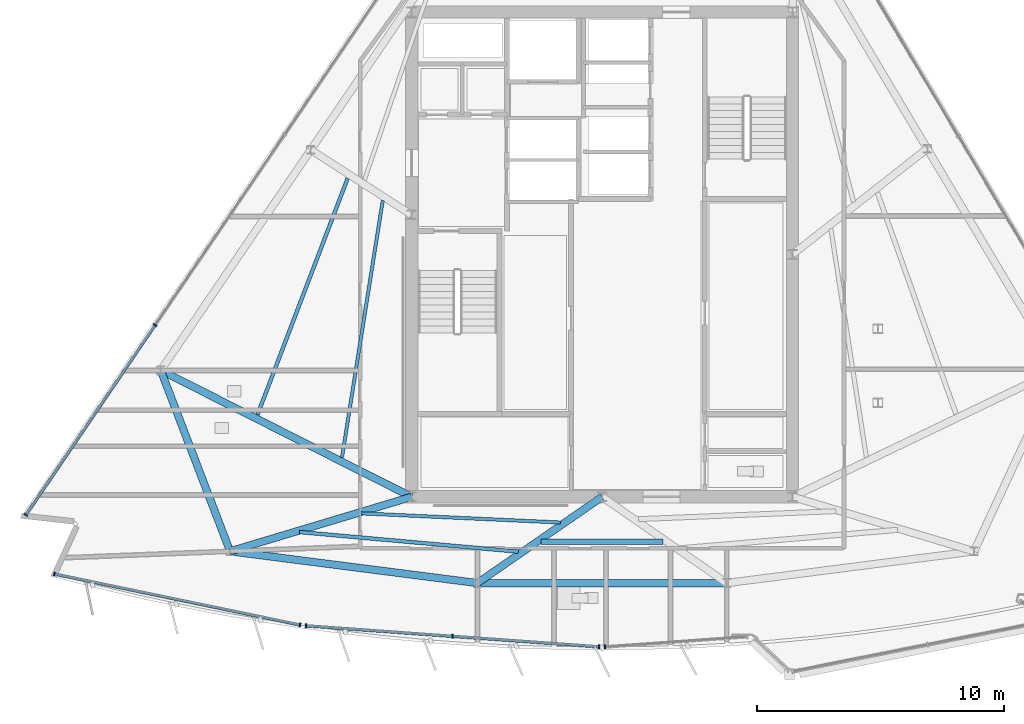
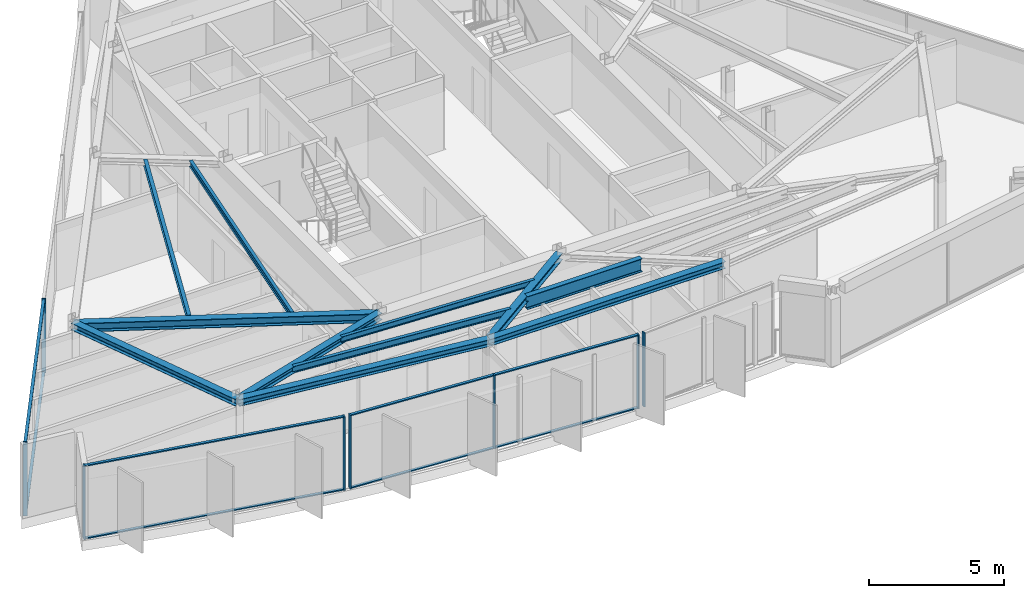
# One storey, part 3 of 14: 16 members, 11 beams, 4 elements without a shape of their own.
"""IFC4 building model written with IfcOpenShell, lengths in metres."""

from ifc_helpers import new_model, si_unit, direction, frame, origin, origin_2d, place, context, subcontext, project, spatial, rectangle, i_section, extrude, material, material_profile, profile_set, type_object, element, aggregate, save


model = new_model("IFC4")

# Units and contexts
model_context = context("Model", 3, precision=1e-05, world=origin(), true_north=direction((0.0, 1.0)))
body_context = subcontext(model_context, "Body", "Model", "MODEL_VIEW")
ifc_project = project(units=[si_unit("LENGTHUNIT", "METRE"), si_unit("AREAUNIT", "SQUARE_METRE"), si_unit("VOLUMEUNIT", "CUBIC_METRE"), si_unit("PLANEANGLEUNIT", "RADIAN"), si_unit("MASSUNIT", "GRAM", prefix="KILO")], contexts=[model_context])

# Site, building, storey
site_placement = place(None, origin())
site = spatial("IfcSite", under=ifc_project, at=site_placement, CompositionType="ELEMENT")
building_placement = place(site_placement, origin())
building = spatial("IfcBuilding", under=site, at=building_placement, Name="Savorim Split Tower", CompositionType="ELEMENT")
storey_placement = place(building_placement, frame((0.0, 0.0, 294.0)))
storey = spatial("IfcBuildingStorey", under=building, at=storey_placement, Name="L78", CompositionType="ELEMENT", Elevation=294.0)

# Beams
ifc_material_1 = material(Name="Steel S355", Category="steel")
ifc_material_profile_1 = material_profile(ifc_material_1, i_section(OverallWidth=0.135009765625, OverallDepth=0.27001953125, WebThickness=0.006591796875, FlangeThickness=0.01025390625, FilletRadius=0.014892578125, at=origin_2d()), Name="IPE 270")
ifc_profile_set_1 = profile_set([ifc_material_profile_1], Name="Steel S355")
beam_type_1 = type_object("IfcBeamType", Name="BM-JST-IPE270", PredefinedType="JOIST", material=ifc_profile_set_1)
beam_1_placement = place(storey_placement, frame((-9.741455078125, -10.067626953125, 3.205078125), z_axis=(0.998947119239, -0.045876496854, 0.0), x_axis=(0.045876496854, 0.998947119239, 0.0)))
element("IfcBeam", 1, at=beam_1_placement, inside=storey, type_object=beam_type_1, Name="L78 Secondary Floor Joist JS-02", PredefinedType="JOIST", context=body_context, shape_type="SweptSolid", body=[
    extrude(i_section(OverallWidth=0.135009765625, OverallDepth=0.27001953125, WebThickness=0.006591796875, FlangeThickness=0.01025390625, FilletRadius=0.014892578125, at=origin_2d()), origin(), (0.0, 0.0, 1.0), 8.078369140625),
])
beam_2_placement = place(storey_placement, frame((-8.8662109375, 2.577392578125, 3.205078125), z_axis=(-0.156677698063, -0.987649785567, 0.0), x_axis=(0.987649785567, -0.156677698063, 0.0)))
element("IfcBeam", 2, at=beam_2_placement, inside=storey, type_object=beam_type_1, Name="L78 Secondary Floor Joist JS-11", PredefinedType="JOIST", context=body_context, shape_type="SweptSolid", body=[
    extrude(i_section(OverallWidth=0.135009765625, OverallDepth=0.27001953125, WebThickness=0.006591796875, FlangeThickness=0.01025390625, FilletRadius=0.014892578125, at=origin_2d()), origin(), (0.0, 0.0, 1.0), 10.51806640625),
])
ifc_material_profile_2 = material_profile(ifc_material_1, i_section(OverallWidth=0.14990234375, OverallDepth=0.300048828125, WebThickness=0.007080078125, FlangeThickness=0.0107421875, FilletRadius=0.014892578125, at=origin_2d()), Name="IPE 300")
ifc_profile_set_2 = profile_set([ifc_material_profile_2], Name="Steel S355")
beam_type_2 = type_object("IfcBeamType", Name="BM-JST-IPE300", PredefinedType="JOIST", material=ifc_profile_set_2)
beam_3_placement = place(storey_placement, frame((-12.236328125, -10.8232421875, 3.18994140625), z_axis=(0.996011241322, -0.089227838477, 0.0), x_axis=(0.089227838477, 0.996011241322, 0.0)))
element("IfcBeam", 3, at=beam_3_placement, inside=storey, type_object=beam_type_2, Name="L78 Secondary Floor Joist JS-01", PredefinedType="JOIST", context=body_context, shape_type="SweptSolid", body=[
    extrude(i_section(OverallWidth=0.14990234375, OverallDepth=0.300048828125, WebThickness=0.007080078125, FlangeThickness=0.0107421875, FilletRadius=0.014892578125, at=origin_2d()), origin(), (0.0, 0.0, 1.0), 8.886962890625),
])
beam_4_placement = place(storey_placement, frame((-10.28369140625, 3.47900390625, 3.18994140625), z_axis=(-0.35634753105, -0.934353486168, 0.0), x_axis=(0.934353486168, -0.35634753105, 0.0)))
element("IfcBeam", 4, at=beam_4_placement, inside=storey, type_object=beam_type_2, Name="L78 Secondary Floor Joist JS-10", PredefinedType="JOIST", context=body_context, shape_type="SweptSolid", body=[
    extrude(i_section(OverallWidth=0.14990234375, OverallDepth=0.300048828125, WebThickness=0.007080078125, FlangeThickness=0.0107421875, FilletRadius=0.014892578125, at=origin_2d()), origin(), (0.0, 0.0, 1.0), 10.232177734375),
])
ifc_material_profile_3 = material_profile(ifc_material_1, i_section(OverallWidth=0.219970703125, OverallDepth=0.60009765625, WebThickness=0.011962890625, FlangeThickness=0.01904296875, FilletRadius=0.02392578125, at=origin_2d()), Name="IPE 600")
ifc_profile_set_3 = profile_set([ifc_material_profile_3], Name="Steel S355")
beam_type_3 = type_object("IfcBeamType", Name="BM-JST-IPE600", PredefinedType="JOIST", material=ifc_profile_set_3)
beam_5_placement = place(storey_placement, frame((-2.460693359375, -11.21240234375, 3.0400390625), z_axis=(1.0, 0.0, 0.0), x_axis=(0.0, 1.0, 0.0)))
element("IfcBeam", 5, at=beam_5_placement, inside=storey, type_object=beam_type_3, Name="L78 Secondary Floor Joist JS-03", PredefinedType="JOIST", context=body_context, shape_type="SweptSolid", body=[
    extrude(i_section(OverallWidth=0.219970703125, OverallDepth=0.60009765625, WebThickness=0.011962890625, FlangeThickness=0.01904296875, FilletRadius=0.02392578125, at=origin_2d()), origin(), (0.0, 0.0, 1.0), 4.92138671875),
])
ifc_material_profile_4 = material_profile(ifc_material_1, i_section(OverallWidth=0.300048828125, OverallDepth=0.300048828125, WebThickness=0.010986328125, FlangeThickness=0.01904296875, FilletRadius=0.027099609375, at=origin_2d()), Name="HEB 300")
ifc_profile_set_4 = profile_set([ifc_material_profile_4], Name="Steel S355")
beam_type_4 = type_object("IfcBeamType", Name="BM-PRI-HEB300", PredefinedType="BEAM", material=ifc_profile_set_4)
beam_6_placement = place(storey_placement, frame((-15.037109375, -11.6015625, 3.18994140625), z_axis=(0.957807862617, 0.287409287096, 0.0), x_axis=(-0.287409287096, 0.957807862617, 0.0)))
element("IfcBeam", 6, at=beam_6_placement, inside=storey, type_object=beam_type_4, Name="L78 Primary Floor Girder RG-01", PredefinedType="BEAM", context=body_context, shape_type="SweptSolid", body=[
    extrude(i_section(OverallWidth=0.300048828125, OverallDepth=0.300048828125, WebThickness=0.010986328125, FlangeThickness=0.01904296875, FilletRadius=0.027099609375, at=origin_2d()), origin(), (0.0, 0.0, 1.0), 7.660400390625),
])
beam_7_placement = place(storey_placement, frame((-5.039794921875, -12.885009765625, 3.18994140625), z_axis=(0.82249616242, 0.568770659233, 0.0), x_axis=(-0.568770659233, 0.82249616242, 0.0)))
element("IfcBeam", 7, at=beam_7_placement, inside=storey, type_object=beam_type_4, Name="L78 Primary Floor Girder RG-02", PredefinedType="BEAM", context=body_context, shape_type="SweptSolid", body=[
    extrude(i_section(OverallWidth=0.300048828125, OverallDepth=0.300048828125, WebThickness=0.010986328125, FlangeThickness=0.01904296875, FilletRadius=0.027099609375, at=origin_2d()), origin(), (0.0, 0.0, 1.0), 6.12744140625),
])
ifc_material_profile_5 = material_profile(ifc_material_1, i_section(OverallWidth=0.300048828125, OverallDepth=0.39990234375, WebThickness=0.013427734375, FlangeThickness=0.02392578125, FilletRadius=0.027099609375, at=origin_2d()), Name="HEB 400")
ifc_profile_set_5 = profile_set([ifc_material_profile_5], Name="Steel S355")
beam_type_5 = type_object("IfcBeamType", Name="BM-PRI-HEB400", PredefinedType="BEAM", material=ifc_profile_set_5)
beam_8_placement = place(storey_placement, frame((-17.84033203125, -4.288818359375, 3.139892578125), z_axis=(0.892982084202, -0.450092209769, 0.0), x_axis=(0.450092209769, 0.892982084202, 0.0)))
element("IfcBeam", 8, at=beam_8_placement, inside=storey, type_object=beam_type_5, Name="L78 Primary Floor Girder RG-10", PredefinedType="BEAM", context=body_context, shape_type="SweptSolid", body=[
    extrude(i_section(OverallWidth=0.300048828125, OverallDepth=0.39990234375, WebThickness=0.013427734375, FlangeThickness=0.02392578125, FilletRadius=0.027099609375, at=origin_2d()), origin(), (0.0, 0.0, 1.0), 11.355712890625),
])
ifc_material_profile_6 = material_profile(ifc_material_1, i_section(OverallWidth=0.300048828125, OverallDepth=0.31005859375, WebThickness=0.009033203125, FlangeThickness=0.015380859375, FilletRadius=0.027099609375, at=origin_2d()), Name="HEA 320")
ifc_profile_set_6 = profile_set([ifc_material_profile_6], Name="Steel S355")
beam_type_6 = type_object("IfcBeamType", Name="BM-SPN-HEA320", PredefinedType="SPANDREL", material=ifc_profile_set_6)
beam_9_placement = place(storey_placement, frame((-15.037109375, -11.6015625, 3.18505859375), z_axis=(0.991859872424, -0.127334180306, 0.0), x_axis=(0.127334180306, 0.991859872424, 0.0)))
element("IfcBeam", 9, at=beam_9_placement, inside=storey, type_object=beam_type_6, Name="L78 Perimeter Spandrel Beam 1", PredefinedType="SPANDREL", context=body_context, shape_type="SweptSolid", body=[
    extrude(i_section(OverallWidth=0.300048828125, OverallDepth=0.31005859375, WebThickness=0.009033203125, FlangeThickness=0.015380859375, FilletRadius=0.027099609375, at=origin_2d()), origin(), (0.0, 0.0, 1.0), 10.079345703125),
])
beam_10_placement = place(storey_placement, frame((-5.039794921875, -12.885009765625, 3.18505859375), z_axis=(1.0, 0.0, 0.0), x_axis=(0.0, 1.0, 0.0)))
element("IfcBeam", 10, at=beam_10_placement, inside=storey, type_object=beam_type_6, Name="L78 Perimeter Spandrel Beam 2", PredefinedType="SPANDREL", context=body_context, shape_type="SweptSolid", body=[
    extrude(i_section(OverallWidth=0.300048828125, OverallDepth=0.31005859375, WebThickness=0.009033203125, FlangeThickness=0.015380859375, FilletRadius=0.027099609375, at=origin_2d()), origin(), (0.0, 0.0, 1.0), 10.07958984375),
])
beam_11_placement = place(storey_placement, frame((-17.84033203125, -4.288818359375, 3.18505859375), z_axis=(0.357936464629, -0.933745943653, 0.0), x_axis=(0.933745943653, 0.357936464629, 0.0)))
element("IfcBeam", 11, at=beam_11_placement, inside=storey, type_object=beam_type_6, Name="L78 Perimeter Spandrel Beam 10", PredefinedType="SPANDREL", context=body_context, shape_type="SweptSolid", body=[
    extrude(i_section(OverallWidth=0.300048828125, OverallDepth=0.31005859375, WebThickness=0.009033203125, FlangeThickness=0.015380859375, FilletRadius=0.027099609375, at=origin_2d()), origin(), (0.0, 0.0, 1.0), 7.83154296875),
])

# Curtain wall, members
ifc_material_2 = material(Name="Dark Ceramic-Fritted Insulated Glass", Category="glass")
curtain_wall_type = type_object("IfcCurtainWallType", Name="CW-TWR-FRIT-B", PredefinedType="NOTDEFINED", material=ifc_material_2)
curtain_wall_1_placement = place(storey_placement, origin())
curtain_wall_1 = element("IfcCurtainWall", 12, at=curtain_wall_1_placement, inside=storey, type_object=curtain_wall_type, Name="L78 Curtain Wall CW-L78-SF1A", PredefinedType="NOTDEFINED")
ifc_material_3 = material(Name="Charcoal Anodised Aluminium", Category="aluminium")
ifc_material_profile_7 = material_profile(ifc_material_3, rectangle(XDim=0.159912109375, YDim=0.06005859375, at=origin_2d()), Name="ALU-M 160x60")
ifc_profile_set_7 = profile_set([ifc_material_profile_7], Name="Charcoal Anodised Aluminium")
member_type_1 = type_object("IfcMemberType", Name="CWM-160x60", PredefinedType="MULLION", material=ifc_profile_set_7)
member_1_placement = place(storey_placement, frame((-22.142333984375, -12.514892578125, 0.0), z_axis=(0.0, 0.0, 1.0), x_axis=(0.203215038861, 0.979134131762, 0.0)))
member_1 = element("IfcMember", 13, at=member_1_placement, type_object=member_type_1, Name="CW-03 mullion 1", PredefinedType="MULLION", context=body_context, shape_type="SweptSolid", body=[
    extrude(rectangle(XDim=0.159912109375, YDim=0.06005859375, at=origin_2d()), origin(), (0.0, 0.0, 1.0), 3.340087890625),
])
member_2_placement = place(storey_placement, frame((-12.20849609375, -14.57666015625, 0.0), z_axis=(0.0, 0.0, 1.0), x_axis=(0.203215038861, 0.979134131762, 0.0)))
member_2 = element("IfcMember", 14, at=member_2_placement, type_object=member_type_1, Name="CW-03 mullion 2", PredefinedType="MULLION", context=body_context, shape_type="SweptSolid", body=[
    extrude(rectangle(XDim=0.159912109375, YDim=0.06005859375, at=origin_2d()), origin(), (0.0, 0.0, 1.0), 3.340087890625),
])

curtain_wall_2_placement = place(storey_placement, origin())
curtain_wall_2 = element("IfcCurtainWall", 15, at=curtain_wall_2_placement, inside=storey, type_object=curtain_wall_type, Name="L78 Curtain Wall CW-L78-SF2A", PredefinedType="NOTDEFINED")
member_3_placement = place(storey_placement, frame((-11.967529296875, -14.610107421875, 0.0), z_axis=(0.0, 0.0, 1.0), x_axis=(0.071560201608, 0.997436282449, 0.0)))
member_3 = element("IfcMember", 16, at=member_3_placement, type_object=member_type_1, Name="CW-03 mullion 1", PredefinedType="MULLION", context=body_context, shape_type="SweptSolid", body=[
    extrude(rectangle(XDim=0.159912109375, YDim=0.06005859375, at=origin_2d()), origin(), (0.0, 0.0, 1.0), 3.340087890625),
])
member_4_placement = place(storey_placement, frame((-6.044189453125, -15.03515625, 0.0), z_axis=(0.0, 0.0, 1.0), x_axis=(0.071560201608, 0.997436282449, 0.0)))
member_4 = element("IfcMember", 17, at=member_4_placement, type_object=member_type_1, Name="CW-03 mullion 2", PredefinedType="MULLION", context=body_context, shape_type="SweptSolid", body=[
    extrude(rectangle(XDim=0.159912109375, YDim=0.06005859375, at=origin_2d()), origin(), (0.0, 0.0, 1.0), 3.340087890625),
])
member_5_placement = place(storey_placement, frame((-0.12109375, -15.4599609375, 0.0), z_axis=(0.0, 0.0, 1.0), x_axis=(0.071560201608, 0.997436282449, 0.0)))
member_5 = element("IfcMember", 18, at=member_5_placement, type_object=member_type_1, Name="CW-03 mullion 3", PredefinedType="MULLION", context=body_context, shape_type="SweptSolid", body=[
    extrude(rectangle(XDim=0.159912109375, YDim=0.06005859375, at=origin_2d()), origin(), (0.0, 0.0, 1.0), 3.340087890625),
])

# Curtain wall, member
curtain_wall_3_placement = place(storey_placement, origin())
curtain_wall_3 = element("IfcCurtainWall", 19, at=curtain_wall_3_placement, inside=storey, type_object=curtain_wall_type, Name="L78 Curtain Wall CW-L78-SF3A", PredefinedType="NOTDEFINED")
member_6_placement = place(storey_placement, frame((0.12109375, -15.4599609375, 0.0), z_axis=(0.0, 0.0, 1.0), x_axis=(-0.071561606808, 0.997436181633, 0.0)))
member_6 = element("IfcMember", 20, at=member_6_placement, type_object=member_type_1, Name="CW-03 mullion 1", PredefinedType="MULLION", context=body_context, shape_type="SweptSolid", body=[
    extrude(rectangle(XDim=0.159912109375, YDim=0.06005859375, at=origin_2d()), origin(), (0.0, 0.0, 1.0), 3.340087890625),
])
aggregate(curtain_wall_3, [member_6])

# Curtain wall, members
curtain_wall_4_placement = place(storey_placement, origin())
curtain_wall_4 = element("IfcCurtainWall", 21, at=curtain_wall_4_placement, inside=storey, type_object=curtain_wall_type, Name="L78 Curtain Wall CW-L78-WEST", PredefinedType="NOTDEFINED")
member_7_placement = place(storey_placement, frame((-18.0693359375, -2.455078125, 0.0), z_axis=(0.0, 0.0, 1.0), x_axis=(0.826817636776, -0.562470084107, 0.0)))
member_7 = element("IfcMember", 22, at=member_7_placement, type_object=member_type_1, Name="CW-03 mullion 3", PredefinedType="MULLION", context=body_context, shape_type="SweptSolid", body=[
    extrude(rectangle(XDim=0.159912109375, YDim=0.06005859375, at=origin_2d()), origin(), (0.0, 0.0, 1.0), 3.340087890625),
])
member_8_placement = place(storey_placement, frame((-23.29052734375, -10.130126953125, 0.0), z_axis=(0.0, 0.0, 1.0), x_axis=(0.826817636776, -0.562470084107, 0.0)))
member_8 = element("IfcMember", 23, at=member_8_placement, type_object=member_type_1, Name="CW-03 mullion 4", PredefinedType="MULLION", context=body_context, shape_type="SweptSolid", body=[
    extrude(rectangle(XDim=0.159912109375, YDim=0.06005859375, at=origin_2d()), origin(), (0.0, 0.0, 1.0), 3.340087890625),
])

# Member
ifc_material_profile_8 = material_profile(ifc_material_3, rectangle(XDim=0.1201171875, YDim=0.050048828125, at=origin_2d()), Name="ALU-T 120x50")
ifc_profile_set_8 = profile_set([ifc_material_profile_8], Name="Charcoal Anodised Aluminium")
member_type_2 = type_object("IfcMemberType", Name="CWT-120x50", PredefinedType="USERDEFINED", material=ifc_profile_set_8)
member_9_placement = place(storey_placement, frame((-22.113037109375, -12.52099609375, 0.02490234375), z_axis=(0.9791332013, -0.203219521977, 0.0), x_axis=(0.203219521977, 0.9791332013, 0.0)))
member_9 = element("IfcMember", 24, at=member_9_placement, type_object=member_type_2, Name="CW-03 transom 1.1", ObjectType="TRANSOM", PredefinedType="USERDEFINED", context=body_context, shape_type="SweptSolid", body=[
    extrude(rectangle(XDim=0.1201171875, YDim=0.050048828125, at=origin_2d()), origin(), (0.0, 0.0, 1.0), 10.08544921875),
])

member_10_placement = place(storey_placement, frame((-22.113037109375, -12.52099609375, 3.31494140625), z_axis=(0.9791332013, -0.203219521977, 0.0), x_axis=(0.203219521977, 0.9791332013, 0.0)))
member_10 = element("IfcMember", 25, at=member_10_placement, type_object=member_type_2, Name="CW-03 transom 1.2", ObjectType="TRANSOM", PredefinedType="USERDEFINED", context=body_context, shape_type="SweptSolid", body=[
    extrude(rectangle(XDim=0.1201171875, YDim=0.050048828125, at=origin_2d()), origin(), (0.0, 0.0, 1.0), 10.08544921875),
])

aggregate(curtain_wall_1, [member_1, member_2, member_9, member_10])

member_11_placement = place(storey_placement, frame((-11.9375, -14.6123046875, 0.02490234375), z_axis=(0.997436303512, -0.071559908018, 0.0), x_axis=(0.071559908018, 0.997436303512, 0.0)))
member_11 = element("IfcMember", 26, at=member_11_placement, type_object=member_type_2, Name="CW-03 transom 1.1", ObjectType="TRANSOM", PredefinedType="USERDEFINED", context=body_context, shape_type="SweptSolid", body=[
    extrude(rectangle(XDim=0.1201171875, YDim=0.050048828125, at=origin_2d()), origin(), (0.0, 0.0, 1.0), 5.87841796875),
])

member_12_placement = place(storey_placement, frame((-11.9375, -14.6123046875, 3.31494140625), z_axis=(0.997436303512, -0.071559908018, 0.0), x_axis=(0.071559908018, 0.997436303512, 0.0)))
member_12 = element("IfcMember", 27, at=member_12_placement, type_object=member_type_2, Name="CW-03 transom 1.2", ObjectType="TRANSOM", PredefinedType="USERDEFINED", context=body_context, shape_type="SweptSolid", body=[
    extrude(rectangle(XDim=0.1201171875, YDim=0.050048828125, at=origin_2d()), origin(), (0.0, 0.0, 1.0), 5.87841796875),
])

member_13_placement = place(storey_placement, frame((-6.014404296875, -15.037353515625, 0.02490234375), z_axis=(0.997436303512, -0.071559908018, 0.0), x_axis=(0.071559908018, 0.997436303512, 0.0)))
member_13 = element("IfcMember", 28, at=member_13_placement, type_object=member_type_2, Name="CW-03 transom 2.1", ObjectType="TRANSOM", PredefinedType="USERDEFINED", context=body_context, shape_type="SweptSolid", body=[
    extrude(rectangle(XDim=0.1201171875, YDim=0.050048828125, at=origin_2d()), origin(), (0.0, 0.0, 1.0), 5.87841796875),
])

member_14_placement = place(storey_placement, frame((-6.014404296875, -15.037353515625, 3.31494140625), z_axis=(0.997436303512, -0.071559908018, 0.0), x_axis=(0.071559908018, 0.997436303512, 0.0)))
member_14 = element("IfcMember", 29, at=member_14_placement, type_object=member_type_2, Name="CW-03 transom 2.2", ObjectType="TRANSOM", PredefinedType="USERDEFINED", context=body_context, shape_type="SweptSolid", body=[
    extrude(rectangle(XDim=0.1201171875, YDim=0.050048828125, at=origin_2d()), origin(), (0.0, 0.0, 1.0), 5.87841796875),
])

aggregate(curtain_wall_2, [member_3, member_4, member_5, member_11, member_12, member_13, member_14])

member_15_placement = place(storey_placement, frame((-18.08642578125, -2.47998046875, 0.02490234375), z_axis=(-0.562452655361, -0.826829492989, 0.0), x_axis=(0.826829492989, -0.562452655361, 0.0)))
member_15 = element("IfcMember", 30, at=member_15_placement, type_object=member_type_2, Name="CW-03 transom 3.1", ObjectType="TRANSOM", PredefinedType="USERDEFINED", context=body_context, shape_type="SweptSolid", body=[
    extrude(rectangle(XDim=0.1201171875, YDim=0.050048828125, at=origin_2d()), origin(), (0.0, 0.0, 1.0), 9.22265625),
])

member_16_placement = place(storey_placement, frame((-18.08642578125, -2.47998046875, 3.31494140625), z_axis=(-0.562452655361, -0.826829492989, 0.0), x_axis=(0.826829492989, -0.562452655361, 0.0)))
member_16 = element("IfcMember", 31, at=member_16_placement, type_object=member_type_2, Name="CW-03 transom 3.2", ObjectType="TRANSOM", PredefinedType="USERDEFINED", context=body_context, shape_type="SweptSolid", body=[
    extrude(rectangle(XDim=0.1201171875, YDim=0.050048828125, at=origin_2d()), origin(), (0.0, 0.0, 1.0), 9.22265625),
])

aggregate(curtain_wall_4, [member_7, member_8, member_15, member_16])

save(model, "model.ifc")
